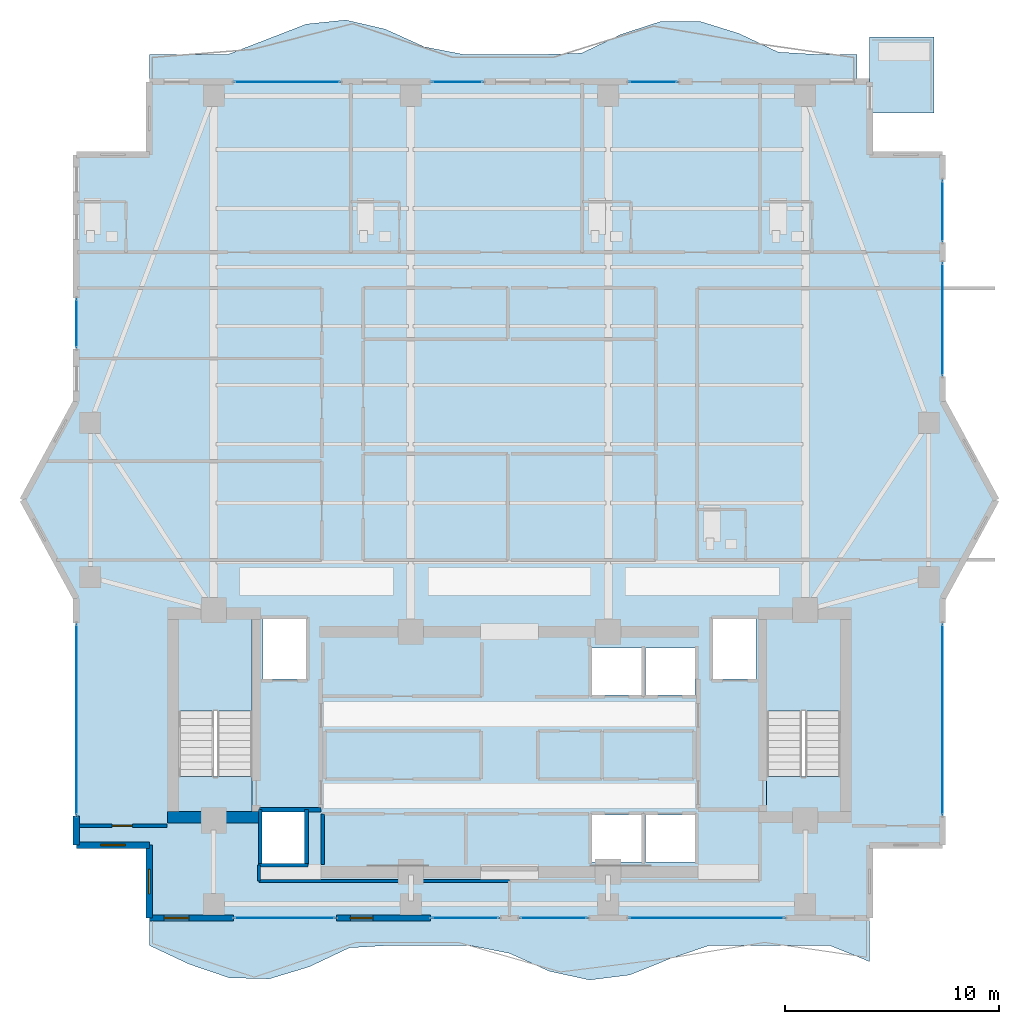
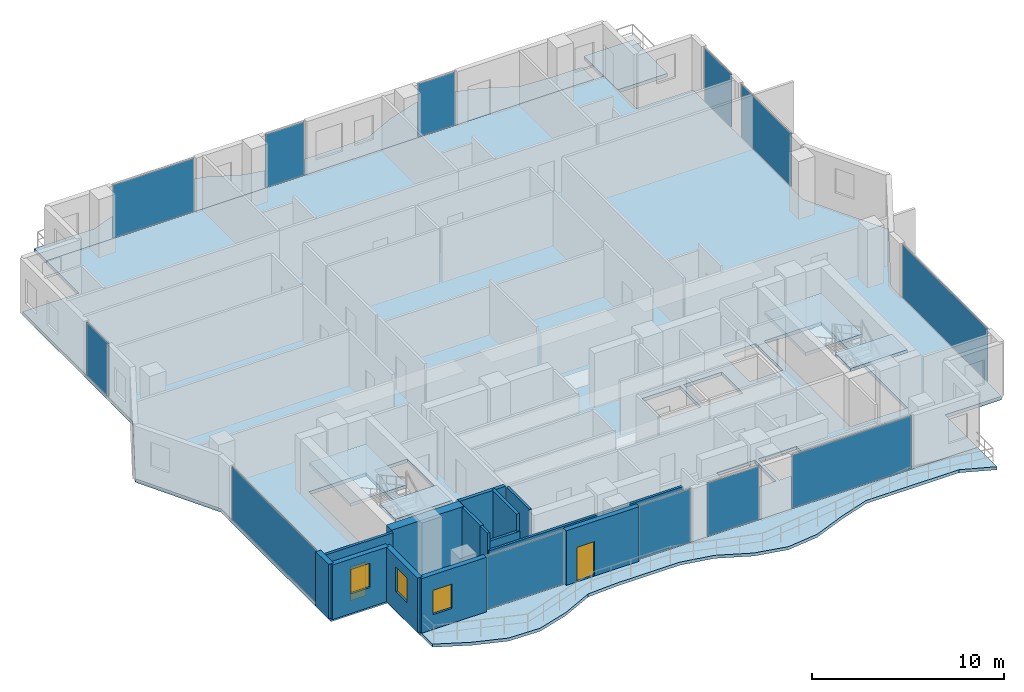
# One storey, part 16 of 23: 14 walls, 12 plates, 8 slabs, 3 windows, 2 doors, 5 openings, 14 elements without a shape of their own.
"""IFC4 building model written with IfcOpenShell, lengths in metres."""

from ifc_helpers import new_model, si_unit, direction, frame, frame_2d, origin, origin_2d, place, context, subcontext, project, spatial, polyline, rectangle, outline, extrude, material, layer, layer_set, type_object, element, fill, aggregate, save


model = new_model("IFC4")

# Units and contexts
model_context = context("Model", 3, precision=1e-05, world=origin(), true_north=direction((0.0, 1.0)))
body_context = subcontext(model_context, "Body", "Model", "MODEL_VIEW")
ifc_project = project(units=[si_unit("LENGTHUNIT", "METRE"), si_unit("AREAUNIT", "SQUARE_METRE"), si_unit("VOLUMEUNIT", "CUBIC_METRE"), si_unit("PLANEANGLEUNIT", "RADIAN"), si_unit("MASSUNIT", "GRAM", prefix="KILO")], contexts=[model_context])

# Site, building, storey
site_placement = place(None, origin())
site = spatial("IfcSite", under=ifc_project, at=site_placement, CompositionType="ELEMENT")
building_placement = place(site_placement, origin())
building = spatial("IfcBuilding", under=site, at=building_placement, Name="Zuhayl Quay Hotel", CompositionType="ELEMENT")
storey_placement = place(building_placement, frame((0.0, 0.0, 261.85009765625)))
storey = spatial("IfcBuildingStorey", under=building, at=storey_placement, Name="L66", CompositionType="ELEMENT", Elevation=261.85009765625)

# Curtain wall, plate
ifc_material_1 = material(Name="Anodised Aluminium 6063-T6", Category="aluminium")
ifc_layer_1 = layer(ifc_material_1, 0.169921875, Name="Anodised Aluminium 6063-T6", Category="aluminium")
ifc_layer_set_1 = layer_set([ifc_layer_1], Name="Anodised Aluminium 6063-T6")
curtain_wall_type = type_object("IfcCurtainWallType", Name="CW_SYS_Z4", PredefinedType="USERDEFINED", material=ifc_layer_set_1)
curtain_wall_1_placement = place(storey_placement, origin())
curtain_wall_1 = element("IfcCurtainWall", 1, at=curtain_wall_1_placement, inside=storey, type_object=curtain_wall_type, Name="L66 Curtain Wall ENV_L66_E02_CW1", ObjectType="UNITISED CURTAIN WALL", PredefinedType="USERDEFINED")
ifc_material_2 = material(Name="Dark Ceramic-Fritted Solar Glass", Category="glass")
ifc_layer_2 = layer(ifc_material_2, 0.035888671875, Name="Dark Ceramic-Fritted Solar Glass", Category="glass")
ifc_layer_set_2 = layer_set([ifc_layer_2], Name="Dark Ceramic-Fritted Solar Glass")
plate_type = type_object("IfcPlateType", Name="PN_DARK_FRIT_Z1", PredefinedType="CURTAIN_PANEL", material=ifc_layer_set_2)
plate_1_placement = place(storey_placement, frame((-20.199951171875, 9.25, 0.054931640625), z_axis=(0.0, 0.0, 1.0), x_axis=(0.0, 1.0, 0.0)))
plate_1 = element("IfcPlate", 2, at=plate_1_placement, type_object=plate_type, Name="CW-Z4 panel 1.1", PredefinedType="CURTAIN_PANEL", context=body_context, shape_type="SweptSolid", body=[
    extrude(rectangle(XDim=8.8701171875, YDim=0.035888671875, at=origin_2d()), origin(), (0.0, 0.0, 1.0), 3.3701171875),
])
aggregate(curtain_wall_1, [plate_1])

curtain_wall_2_placement = place(storey_placement, origin())
curtain_wall_2 = element("IfcCurtainWall", 3, at=curtain_wall_2_placement, inside=storey, type_object=curtain_wall_type, Name="L66 Curtain Wall ENV_L66_E05_CW1", ObjectType="UNITISED CURTAIN WALL", PredefinedType="USERDEFINED")
plate_2_placement = place(storey_placement, frame((-20.199951171875, 27.739990234375, 0.054931640625), z_axis=(0.0, 0.0, 1.0), x_axis=(0.0, 1.0, 0.0)))
plate_2 = element("IfcPlate", 4, at=plate_2_placement, type_object=plate_type, Name="CW-Z4 panel 1.1", PredefinedType="CURTAIN_PANEL", context=body_context, shape_type="SweptSolid", body=[
    extrude(rectangle(XDim=2.25, YDim=0.035888671875, at=origin_2d()), origin(), (0.0, 0.0, 1.0), 3.3701171875),
])
aggregate(curtain_wall_2, [plate_2])

curtain_wall_3_placement = place(storey_placement, origin())
curtain_wall_3 = element("IfcCurtainWall", 5, at=curtain_wall_3_placement, inside=storey, type_object=curtain_wall_type, Name="L66 Curtain Wall ENV_L66_N_CW1", ObjectType="UNITISED CURTAIN WALL", PredefinedType="USERDEFINED")
plate_3_placement = place(storey_placement, frame((-10.364990234375, 39.0, 0.054931640625), z_axis=(0.0, 0.0, 1.0), x_axis=(1.0, 0.0, 0.0)))
plate_3 = element("IfcPlate", 6, at=plate_3_placement, type_object=plate_type, Name="CW-Z4 panel 1.1", PredefinedType="CURTAIN_PANEL", context=body_context, shape_type="SweptSolid", body=[
    extrude(rectangle(XDim=4.89990234375, YDim=0.035888671875, at=origin_2d()), origin(), (0.0, 0.0, 1.0), 3.3701171875),
])
aggregate(curtain_wall_3, [plate_3])

curtain_wall_4_placement = place(storey_placement, origin())
curtain_wall_4 = element("IfcCurtainWall", 7, at=curtain_wall_4_placement, inside=storey, type_object=curtain_wall_type, Name="L66 Curtain Wall ENV_L66_N_CW2", ObjectType="UNITISED CURTAIN WALL", PredefinedType="USERDEFINED")
plate_4_placement = place(storey_placement, frame((-2.43505859375, 39.0, 0.054931640625), z_axis=(0.0, 0.0, 1.0), x_axis=(1.0, 0.0, 0.0)))
plate_4 = element("IfcPlate", 8, at=plate_4_placement, type_object=plate_type, Name="CW-Z4 panel 1.1", PredefinedType="CURTAIN_PANEL", context=body_context, shape_type="SweptSolid", body=[
    extrude(rectangle(XDim=2.360107421875, YDim=0.035888671875, at=origin_2d()), origin(), (0.0, 0.0, 1.0), 3.3701171875),
])
aggregate(curtain_wall_4, [plate_4])

curtain_wall_5_placement = place(storey_placement, origin())
curtain_wall_5 = element("IfcCurtainWall", 9, at=curtain_wall_5_placement, inside=storey, type_object=curtain_wall_type, Name="L66 Curtain Wall ENV_L66_N_CW3", ObjectType="UNITISED CURTAIN WALL", PredefinedType="USERDEFINED")
plate_5_placement = place(storey_placement, frame((6.698974609375, 39.0, 0.054931640625), z_axis=(0.0, 0.0, 1.0), x_axis=(1.0, 0.0, 0.0)))
plate_5 = element("IfcPlate", 10, at=plate_5_placement, type_object=plate_type, Name="CW-Z4 panel 1.1", PredefinedType="CURTAIN_PANEL", context=body_context, shape_type="SweptSolid", body=[
    extrude(rectangle(XDim=2.22802734375, YDim=0.035888671875, at=origin_2d()), origin(), (0.0, 0.0, 1.0), 3.3701171875),
])
aggregate(curtain_wall_5, [plate_5])

curtain_wall_6_placement = place(storey_placement, origin())
curtain_wall_6 = element("IfcCurtainWall", 11, at=curtain_wall_6_placement, inside=storey, type_object=curtain_wall_type, Name="L66 Curtain Wall ENV_L66_E11_CW1", ObjectType="UNITISED CURTAIN WALL", PredefinedType="USERDEFINED")
plate_6_placement = place(storey_placement, frame((20.199951171875, 32.97509765625, 0.054931640625), z_axis=(0.0, 0.0, 1.0), x_axis=(0.0, -1.0, 0.0)))
plate_6 = element("IfcPlate", 12, at=plate_6_placement, type_object=plate_type, Name="CW-Z4 panel 1.1", PredefinedType="CURTAIN_PANEL", context=body_context, shape_type="SweptSolid", body=[
    extrude(rectangle(XDim=2.820068359375, YDim=0.035888671875, at=origin_2d()), origin(), (0.0, 0.0, 1.0), 3.3701171875),
])
aggregate(curtain_wall_6, [plate_6])

curtain_wall_7_placement = place(storey_placement, origin())
curtain_wall_7 = element("IfcCurtainWall", 13, at=curtain_wall_7_placement, inside=storey, type_object=curtain_wall_type, Name="L66 Curtain Wall ENV_L66_E11_CW2", ObjectType="UNITISED CURTAIN WALL", PredefinedType="USERDEFINED")
plate_7_placement = place(storey_placement, frame((20.199951171875, 27.925048828125, 0.054931640625), z_axis=(0.0, 0.0, 1.0), x_axis=(0.0, -1.0, 0.0)))
plate_7 = element("IfcPlate", 14, at=plate_7_placement, type_object=plate_type, Name="CW-Z4 panel 1.1", PredefinedType="CURTAIN_PANEL", context=body_context, shape_type="SweptSolid", body=[
    extrude(rectangle(XDim=5.219970703125, YDim=0.035888671875, at=origin_2d()), origin(), (0.0, 0.0, 1.0), 3.3701171875),
])
aggregate(curtain_wall_7, [plate_7])

curtain_wall_8_placement = place(storey_placement, origin())
curtain_wall_8 = element("IfcCurtainWall", 15, at=curtain_wall_8_placement, inside=storey, type_object=curtain_wall_type, Name="L66 Curtain Wall ENV_L66_E14_CW1", ObjectType="UNITISED CURTAIN WALL", PredefinedType="USERDEFINED")
plate_8_placement = place(storey_placement, frame((20.199951171875, 9.25, 0.054931640625), z_axis=(0.0, 0.0, 1.0), x_axis=(0.0, -1.0, 0.0)))
plate_8 = element("IfcPlate", 16, at=plate_8_placement, type_object=plate_type, Name="CW-Z4 panel 1.1", PredefinedType="CURTAIN_PANEL", context=body_context, shape_type="SweptSolid", body=[
    extrude(rectangle(XDim=8.8701171875, YDim=0.035888671875, at=origin_2d()), origin(), (0.0, 0.0, 1.0), 3.3701171875),
])
aggregate(curtain_wall_8, [plate_8])

curtain_wall_9_placement = place(storey_placement, origin())
curtain_wall_9 = element("IfcCurtainWall", 17, at=curtain_wall_9_placement, inside=storey, type_object=curtain_wall_type, Name="L66 Curtain Wall ENV_L66_S_CW1", ObjectType="UNITISED CURTAIN WALL", PredefinedType="USERDEFINED")
plate_9_placement = place(storey_placement, frame((9.199951171875, 0.0, 0.054931640625), z_axis=(0.0, 0.0, 1.0), x_axis=(-1.0, 0.0, 0.0)))
plate_9 = element("IfcPlate", 18, at=plate_9_placement, type_object=plate_type, Name="CW-Z4 panel 1.1", PredefinedType="CURTAIN_PANEL", context=body_context, shape_type="SweptSolid", body=[
    extrude(rectangle(XDim=7.22998046875, YDim=0.035888671875, at=origin_2d()), origin(), (0.0, 0.0, 1.0), 3.3701171875),
])
aggregate(curtain_wall_9, [plate_9])

curtain_wall_10_placement = place(storey_placement, origin())
curtain_wall_10 = element("IfcCurtainWall", 19, at=curtain_wall_10_placement, inside=storey, type_object=curtain_wall_type, Name="L66 Curtain Wall ENV_L66_S_CW2", ObjectType="UNITISED CURTAIN WALL", PredefinedType="USERDEFINED")
plate_10_placement = place(storey_placement, frame((2.06494140625, 0.0, 0.054931640625), z_axis=(0.0, 0.0, 1.0), x_axis=(-1.0, 0.0, 0.0)))
plate_10 = element("IfcPlate", 20, at=plate_10_placement, type_object=plate_type, Name="CW-Z4 panel 1.1", PredefinedType="CURTAIN_PANEL", context=body_context, shape_type="SweptSolid", body=[
    extrude(rectangle(XDim=3.10009765625, YDim=0.035888671875, at=origin_2d()), origin(), (0.0, 0.0, 1.0), 3.3701171875),
])
aggregate(curtain_wall_10, [plate_10])

curtain_wall_11_placement = place(storey_placement, origin())
curtain_wall_11 = element("IfcCurtainWall", 21, at=curtain_wall_11_placement, inside=storey, type_object=curtain_wall_type, Name="L66 Curtain Wall ENV_L66_S_CW3", ObjectType="UNITISED CURTAIN WALL", PredefinedType="USERDEFINED")
plate_11_placement = place(storey_placement, frame((-2.06494140625, 0.0, 0.054931640625), z_axis=(0.0, 0.0, 1.0), x_axis=(-1.0, 0.0, 0.0)))
plate_11 = element("IfcPlate", 22, at=plate_11_placement, type_object=plate_type, Name="CW-Z4 panel 1.1", PredefinedType="CURTAIN_PANEL", context=body_context, shape_type="SweptSolid", body=[
    extrude(rectangle(XDim=3.10009765625, YDim=0.035888671875, at=origin_2d()), origin(), (0.0, 0.0, 1.0), 3.3701171875),
])
aggregate(curtain_wall_11, [plate_11])

curtain_wall_12_placement = place(storey_placement, origin())
curtain_wall_12 = element("IfcCurtainWall", 23, at=curtain_wall_12_placement, inside=storey, type_object=curtain_wall_type, Name="L66 Curtain Wall ENV_L66_S_CW4", ObjectType="UNITISED CURTAIN WALL", PredefinedType="USERDEFINED")
plate_12_placement = place(storey_placement, frame((-10.4775390625, 0.0, 0.054931640625), z_axis=(0.0, 0.0, 1.0), x_axis=(-1.0, 0.0, 0.0)))
plate_12 = element("IfcPlate", 24, at=plate_12_placement, type_object=plate_type, Name="CW-Z4 panel 1.1", PredefinedType="CURTAIN_PANEL", context=body_context, shape_type="SweptSolid", body=[
    extrude(rectangle(XDim=4.675048828125, YDim=0.035888671875, at=origin_2d()), origin(), (0.0, 0.0, 1.0), 3.3701171875),
])
aggregate(curtain_wall_12, [plate_12])

# Slabs
ifc_material_3 = material(Name="Concrete C45/55", Category="concrete")
ifc_layer_3 = layer(ifc_material_3, 0.195068359375, Name="Concrete C45/55", Category="concrete")
ifc_layer_set_3 = layer_set([ifc_layer_3], Name="Concrete C45/55")
slab_type_1 = type_object("IfcSlabType", Name="SL_BALCONY_195", PredefinedType="FLOOR", material=ifc_layer_set_3)
slab_1_placement = place(storey_placement, frame((0.0, 0.0, -0.195068359375)))
element("IfcSlab", 25, at=slab_1_placement, inside=storey, type_object=slab_type_1, Name="L66 Exterior Rippling Balcony Slab North", PredefinedType="FLOOR", context=body_context, shape_type="SweptSolid", body=[
    extrude(outline(polyline([(-16.800048828125, 39.0), (16.199951171875, 39.0), (16.199951171875, 40.280029296875), (14.36669921875, 40.280029296875), (12.533203125, 40.39013671875), (10.699951171875, 41.2607421875), (8.86669921875, 41.828369140625), (7.033203125, 41.81103515625), (5.199951171875, 41.217529296875), (3.36669921875, 40.34228515625), (1.533203125, 40.280029296875), (-0.300048828125, 40.280029296875), (-2.13330078125, 40.280029296875), (-3.966796875, 40.633544921875), (-5.800048828125, 41.4619140625), (-7.63330078125, 41.88720703125), (-9.466796875, 41.6982421875), (-11.300048828125, 40.9892578125), (-13.13330078125, 40.280029296875), (-14.966796875, 40.280029296875), (-16.800048828125, 40.280029296875), (-16.800048828125, 39.0)])), origin(), (0.0, 0.0, 1.0), 0.195068359375),
])
slab_2_placement = place(storey_placement, frame((0.0, 0.0, -0.195068359375)))
element("IfcSlab", 26, at=slab_2_placement, inside=storey, type_object=slab_type_1, Name="L66 Exterior Rippling Balcony Slab South", PredefinedType="FLOOR", context=body_context, shape_type="SweptSolid", body=[
    extrude(outline(polyline([(-16.800048828125, -1.280029296875), (-14.933349609375, -2.158447265625), (-13.066650390625, -2.7919921875), (-11.199951171875, -2.8388671875), (-9.333251953125, -2.27490234375), (-7.466796875, -1.39013671875), (-5.60009765625, -1.280029296875), (-3.7333984375, -1.280029296875), (-1.86669921875, -1.280029296875), (0.0, -1.64990234375), (1.86669921875, -2.486328125), (3.7333984375, -2.893310546875), (5.60009765625, -2.661376953125), (7.466796875, -1.909912109375), (9.333251953125, -1.280029296875), (11.199951171875, -1.280029296875), (13.066650390625, -1.280029296875), (14.933349609375, -1.280029296875), (16.800048828125, -2.036376953125), (16.800048828125, 0.0), (-16.800048828125, 0.0), (-16.800048828125, -1.280029296875)])), origin(), (0.0, 0.0, 1.0), 0.195068359375),
])
ifc_layer_4 = layer(ifc_material_3, 0.219970703125, Name="Concrete C45/55", Category="concrete")
ifc_layer_set_4 = layer_set([ifc_layer_4], Name="Concrete C45/55")
slab_type_2 = type_object("IfcSlabType", Name="SL_FLOOR_220", PredefinedType="FLOOR", material=ifc_layer_set_4)
slab_3_placement = place(storey_placement, frame((0.0, 0.0, -0.22021484375)))
element("IfcSlab", 27, at=slab_3_placement, inside=storey, type_object=slab_type_2, Name="L66 Structural Floor Slab", PredefinedType="FLOOR", context=body_context, shape_type="SweptSolid", body=[
    extrude(outline(polyline([(-16.800048828125, 0.0), (16.800048828125, 0.0), (16.800048828125, 3.39990234375), (20.199951171875, 3.39990234375), (20.199951171875, 14.89990234375), (22.699951171875, 19.5), (20.199951171875, 24.10009765625), (20.199951171875, 35.60009765625), (16.800048828125, 35.60009765625), (16.800048828125, 39.0), (-16.800048828125, 39.0), (-16.800048828125, 35.60009765625), (-20.199951171875, 35.60009765625), (-20.199951171875, 24.10009765625), (-22.699951171875, 19.5), (-20.199951171875, 14.89990234375), (-20.199951171875, 3.39990234375), (-16.800048828125, 3.39990234375), (-16.800048828125, 0.0)]), holes=[polyline([(-12.0, 4.949951171875), (-12.0, 13.949951171875), (-15.429931640625, 13.949951171875), (-15.429931640625, 4.949951171875), (-12.0, 4.949951171875)]), polyline([(15.429931640625, 4.949951171875), (15.429931640625, 13.949951171875), (12.0, 13.949951171875), (12.0, 4.949951171875), (15.429931640625, 4.949951171875)]), polyline([(-11.5, 11.14990234375), (-9.5, 11.14990234375), (-9.5, 13.949951171875), (-11.5, 13.949951171875), (-11.5, 11.14990234375)]), polyline([(9.5, 11.14990234375), (11.5, 11.14990234375), (11.5, 13.949951171875), (9.5, 13.949951171875), (9.5, 11.14990234375)]), polyline([(3.85009765625, 2.60009765625), (6.14990234375, 2.60009765625), (6.14990234375, 4.800048828125), (3.85009765625, 4.800048828125), (3.85009765625, 2.60009765625)]), polyline([(6.35009765625, 2.60009765625), (8.64990234375, 2.60009765625), (8.64990234375, 4.800048828125), (6.35009765625, 4.800048828125), (6.35009765625, 2.60009765625)]), polyline([(3.85009765625, 10.39990234375), (6.14990234375, 10.39990234375), (6.14990234375, 12.60009765625), (3.85009765625, 12.60009765625), (3.85009765625, 10.39990234375)]), polyline([(6.35009765625, 10.39990234375), (8.64990234375, 10.39990234375), (8.64990234375, 12.60009765625), (6.35009765625, 12.60009765625), (6.35009765625, 10.39990234375)]), polyline([(-11.550048828125, 2.550048828125), (-9.550048828125, 2.550048828125), (-9.550048828125, 4.949951171875), (-11.550048828125, 4.949951171875), (-11.550048828125, 2.550048828125)])]), origin(), (0.0, 0.0, 1.0), 0.22021484375),
])

# Stair, slabs
stair_type = type_object("IfcStairType", Name="ST_DOGLEG_TOWER", PredefinedType="HALF_TURN_STAIR", material=ifc_material_3)
stair_1_placement = place(storey_placement, origin())
stair_1 = element("IfcStair", 28, at=stair_1_placement, inside=storey, type_object=stair_type, Name="L66 Smokeproof Exit Stair ST1", PredefinedType="HALF_TURN_STAIR")
ifc_layer_5 = layer(ifc_material_3, 0.199951171875, Name="Concrete C45/55", Category="concrete")
ifc_layer_set_5 = layer_set([ifc_layer_5], Name="Concrete C45/55")
slab_type_3 = type_object("IfcSlabType", Name="SL_STAIR_LANDING_200", PredefinedType="LANDING", material=ifc_layer_set_5)
slab_4_placement = place(storey_placement, frame((0.0, 0.0, 1.64990234375)))
slab_4 = element("IfcSlab", 29, at=slab_4_placement, type_object=slab_type_3, Name="ST1 landing 1", PredefinedType="LANDING", context=body_context, shape_type="SweptSolid", body=[
    extrude(outline(polyline([(-12.0, 9.64990234375), (-12.0, 13.949951171875), (-15.429931640625, 13.949951171875), (-15.429931640625, 9.64990234375), (-12.0, 9.64990234375)])), origin(), (0.0, 0.0, 1.0), 0.199951171875),
])
slab_5_placement = place(storey_placement, frame((0.0, 0.0, 3.5)))
slab_5 = element("IfcSlab", 30, at=slab_5_placement, type_object=slab_type_3, Name="ST1 landing 2", PredefinedType="LANDING", context=body_context, shape_type="SweptSolid", body=[
    extrude(outline(polyline([(-12.0, 4.949951171875), (-12.0, 6.590087890625), (-15.429931640625, 6.590087890625), (-15.429931640625, 4.949951171875), (-12.0, 4.949951171875)])), origin(), (0.0, 0.0, 1.0), 0.199951171875),
])
aggregate(stair_1, [slab_4, slab_5])

stair_2_placement = place(storey_placement, origin())
stair_2 = element("IfcStair", 31, at=stair_2_placement, inside=storey, type_object=stair_type, Name="L66 Smokeproof Exit Stair ST2", PredefinedType="HALF_TURN_STAIR")
slab_6_placement = place(storey_placement, frame((0.0, 0.0, 1.64990234375)))
slab_6 = element("IfcSlab", 32, at=slab_6_placement, type_object=slab_type_3, Name="ST2 landing 1", PredefinedType="LANDING", context=body_context, shape_type="SweptSolid", body=[
    extrude(outline(polyline([(15.429931640625, 9.64990234375), (15.429931640625, 13.949951171875), (12.0, 13.949951171875), (12.0, 9.64990234375), (15.429931640625, 9.64990234375)])), origin(), (0.0, 0.0, 1.0), 0.199951171875),
])
slab_7_placement = place(storey_placement, frame((0.0, 0.0, 3.5)))
slab_7 = element("IfcSlab", 33, at=slab_7_placement, type_object=slab_type_3, Name="ST2 landing 2", PredefinedType="LANDING", context=body_context, shape_type="SweptSolid", body=[
    extrude(outline(polyline([(15.429931640625, 4.949951171875), (15.429931640625, 6.590087890625), (12.0, 6.590087890625), (12.0, 4.949951171875), (15.429931640625, 4.949951171875)])), origin(), (0.0, 0.0, 1.0), 0.199951171875),
])
aggregate(stair_2, [slab_6, slab_7])

# Slab
ifc_layer_6 = layer(ifc_material_3, 0.219970703125, Name="Concrete C45/55", Category="concrete")
ifc_layer_set_6 = layer_set([ifc_layer_6], Name="Concrete C45/55")
slab_type_4 = type_object("IfcSlabType", Name="SL_TERRACE_235", PredefinedType="FLOOR", material=ifc_layer_set_6)
slab_8_placement = place(storey_placement, frame((0.0, 0.0, -0.22021484375)))
element("IfcSlab", 34, at=slab_8_placement, inside=storey, type_object=slab_type_4, Name="L66 Exterior Sky-Terrace Slab L66_SPIRAL_NE", PredefinedType="FLOOR", context=body_context, shape_type="SweptSolid", body=[
    extrude(outline(polyline([(16.800048828125, 37.550048828125), (19.800048828125, 37.550048828125), (19.800048828125, 41.10009765625), (16.800048828125, 41.10009765625), (16.800048828125, 37.550048828125)])), origin(), (0.0, 0.0, 1.0), 0.22021484375),
])

# Wall
ifc_material_4 = material(Name="Concrete C50/60", Category="concrete")
ifc_layer_7 = layer(ifc_material_4, 0.550048828125, Name="Concrete C50/60", Category="concrete")
ifc_layer_set_7 = layer_set([ifc_layer_7], Name="Concrete C50/60")
wall_type_1 = type_object("IfcWallType", Name="WL_CORE_550", PredefinedType="SHEAR", material=ifc_layer_set_7)
wall_1_placement = place(storey_placement, frame((-15.9599609375, 4.695068359375, 0.0), z_axis=(0.0, 0.0, 1.0), x_axis=(1.0, 0.0, 0.0)))
element("IfcWall", 35, at=wall_1_placement, inside=storey, type_object=wall_type_1, Name="L66 Core Shear Wall CW_SW", PredefinedType="SHEAR", context=body_context, shape_type="SweptSolid", body=[
    extrude(rectangle(XDim=4.35986328125, YDim=0.550048828125, at=frame_2d((2.179931640625, 0.0))), origin(), (0.0, 0.0, 1.0), 3.510009765625),
])

# Wall, opening, window
ifc_material_5 = material(Name="Precast concrete C45/55", Category="concrete")
ifc_layer_8 = layer(ifc_material_5, 0.300048828125, Name="Precast concrete C45/55", Category="concrete")
ifc_layer_set_8 = layer_set([ifc_layer_8], Name="Precast concrete C45/55")
wall_type_2 = type_object("IfcWallType", Name="WL_EXT_300", PredefinedType="STANDARD", material=ifc_layer_set_8)
wall_2_placement = place(storey_placement, frame((-16.800048828125, 3.39990234375, 0.0), z_axis=(0.0, 0.0, 1.0), x_axis=(-1.0, 0.0, 0.0)))
wall_2 = element("IfcWall", 36, at=wall_2_placement, inside=storey, type_object=wall_type_2, Name="L66 Exterior Precast Wall ENV_L66_EW01", PredefinedType="STANDARD", context=body_context, shape_type="SweptSolid", body=[
    extrude(rectangle(XDim=3.39990234375, YDim=0.300048828125, at=frame_2d((1.699951171875, 0.0))), origin(), (0.0, 0.0, 1.0), 3.47998046875),
])
opening_1_placement = place(wall_2_placement, frame((1.125, 0.0, 1.25)))
opening_1 = element("IfcOpeningElement", 37, at=opening_1_placement, cuts=wall_2, Name="Opening W01N", PredefinedType="OPENING", context=body_context, shape_type="SweptSolid", body=[
    extrude(rectangle(XDim=1.14990234375, YDim=1.550048828125, at=frame_2d((0.574951171875, 0.77490234375))), frame((0.0, 0.159912109375, 0.0), z_axis=(0.0, -1.0, 0.0), x_axis=(1.0, 0.0, 0.0)), (0.0, 0.0, 1.0), 0.320068359375),
])
window_type = type_object("IfcWindowType", Name="WN_NOTCH_1350", PartitioningType="SINGLE_PANEL", PredefinedType="WINDOW", material=ifc_material_2)
window_1_placement = place(opening_1_placement, origin())
window_1 = element("IfcWindow", 38, at=window_1_placement, inside=storey, type_object=window_type, Name="L66 Corner Notch Window 1", OverallHeight=1.550048828125, OverallWidth=1.14990234375, PartitioningType="SINGLE_PANEL", PredefinedType="WINDOW", context=body_context, shape_type="SweptSolid", body=[
    extrude(rectangle(XDim=1.14990234375, YDim=1.550048828125, at=frame_2d((0.574951171875, 0.77490234375))), frame((0.0, 0.030029296875, 0.0), z_axis=(0.0, -1.0, 0.0), x_axis=(1.0, 0.0, 0.0)), (0.0, 0.0, 1.0), 0.06005859375),
])
fill(opening_1, window_1)

# Wall
wall_3_placement = place(storey_placement, frame((-20.199951171875, 3.39990234375, 0.0), z_axis=(0.0, 0.0, 1.0), x_axis=(0.0, 1.0, 0.0)))
element("IfcWall", 39, at=wall_3_placement, inside=storey, type_object=wall_type_2, Name="L66 Exterior Precast Wall ENV_L66_E02_EW1", PredefinedType="STANDARD", context=body_context, shape_type="SweptSolid", body=[
    extrude(rectangle(XDim=1.35009765625, YDim=0.300048828125, at=frame_2d((0.675048828125, 0.0))), origin(), (0.0, 0.0, 1.0), 3.47998046875),
])

# Wall, opening, door
wall_4_placement = place(storey_placement, frame((-3.679931640625, 0.0, 0.0), z_axis=(0.0, 0.0, 1.0), x_axis=(-1.0, 0.0, 0.0)))
wall_4 = element("IfcWall", 40, at=wall_4_placement, inside=storey, type_object=wall_type_2, Name="L66 Exterior Precast Wall ENV_L66_S_EW4", PredefinedType="STANDARD", context=body_context, shape_type="SweptSolid", body=[
    extrude(rectangle(XDim=4.39501953125, YDim=0.300048828125, at=frame_2d((2.197509765625, 0.0))), origin(), (0.0, 0.0, 1.0), 3.47998046875),
])
opening_2_placement = place(wall_4_placement, frame((2.695068359375, 0.0, 0.0)))
opening_2 = element("IfcOpeningElement", 41, at=opening_2_placement, cuts=wall_4, Name="Opening DG1", PredefinedType="OPENING", context=body_context, shape_type="SweptSolid", body=[
    extrude(rectangle(XDim=1.050048828125, YDim=2.199951171875, at=frame_2d((0.52490234375, 1.10009765625))), frame((0.0, 0.159912109375, 0.0), z_axis=(0.0, -1.0, 0.0), x_axis=(1.0, 0.0, 0.0)), (0.0, 0.0, 1.0), 0.320068359375),
])
ifc_material_6 = material(Name="Anodised Aluminium and Dark Solar Glass", Category="aluminium")
door_type_1 = type_object("IfcDoorType", Name="DR_EXT_TERR_1050", OperationType="NOTDEFINED", PredefinedType="DOOR", material=ifc_material_6)
door_1_placement = place(opening_2_placement, origin())
door_1 = element("IfcDoor", 42, at=door_1_placement, inside=storey, type_object=door_type_1, Name="L66 South Rippling Balcony Door", OperationType="SINGLE_SWING_RIGHT", OverallHeight=2.199951171875, OverallWidth=1.050048828125, PredefinedType="DOOR", context=body_context, shape_type="SweptSolid", body=[
    extrude(rectangle(XDim=1.050048828125, YDim=2.199951171875, at=frame_2d((0.52490234375, 1.10009765625))), frame((0.0, 0.02490234375, 0.0), z_axis=(0.0, -1.0, 0.0), x_axis=(1.0, 0.0, 0.0)), (0.0, 0.0, 1.0), 0.050048828125),
])
fill(opening_2, door_1)

# Wall, opening, window
wall_5_placement = place(storey_placement, frame((-12.8798828125, 0.0, 0.0), z_axis=(0.0, 0.0, 1.0), x_axis=(-1.0, 0.0, 0.0)))
wall_5 = element("IfcWall", 43, at=wall_5_placement, inside=storey, type_object=wall_type_2, Name="L66 Exterior Precast Wall ENV_L66_S_EW5", PredefinedType="STANDARD", context=body_context, shape_type="SweptSolid", body=[
    extrude(rectangle(XDim=3.920166015625, YDim=0.300048828125, at=frame_2d((1.9599609375, 0.0))), origin(), (0.0, 0.0, 1.0), 3.47998046875),
])
opening_3_placement = place(wall_5_placement, frame((2.074951171875, 0.0, 0.949951171875)))
opening_3 = element("IfcOpeningElement", 44, at=opening_3_placement, cuts=wall_5, Name="Opening W01N", PredefinedType="OPENING", context=body_context, shape_type="SweptSolid", body=[
    extrude(rectangle(XDim=1.14990234375, YDim=1.550048828125, at=frame_2d((0.574951171875, 0.77490234375))), frame((0.0, 0.159912109375, 0.0), z_axis=(0.0, -1.0, 0.0), x_axis=(1.0, 0.0, 0.0)), (0.0, 0.0, 1.0), 0.320068359375),
])
window_2_placement = place(opening_3_placement, origin())
window_2 = element("IfcWindow", 45, at=window_2_placement, inside=storey, type_object=window_type, Name="L66 Operable Facade Window 5-1", OverallHeight=1.550048828125, OverallWidth=1.14990234375, PartitioningType="SINGLE_PANEL", PredefinedType="WINDOW", context=body_context, shape_type="SweptSolid", body=[
    extrude(rectangle(XDim=1.14990234375, YDim=1.550048828125, at=frame_2d((0.574951171875, 0.77490234375))), frame((0.0, 0.030029296875, 0.0), z_axis=(0.0, -1.0, 0.0), x_axis=(1.0, 0.0, 0.0)), (0.0, 0.0, 1.0), 0.06005859375),
])
fill(opening_3, window_2)

wall_6_placement = place(storey_placement, frame((-16.800048828125, 0.0, 0.0), z_axis=(0.0, 0.0, 1.0), x_axis=(0.0, 1.0, 0.0)))
wall_6 = element("IfcWall", 46, at=wall_6_placement, inside=storey, type_object=wall_type_2, Name="L66 Exterior Precast Wall ENV_L66_EW18", PredefinedType="STANDARD", context=body_context, shape_type="SweptSolid", body=[
    extrude(rectangle(XDim=3.39990234375, YDim=0.300048828125, at=frame_2d((1.699951171875, 0.0))), origin(), (0.0, 0.0, 1.0), 3.47998046875),
])
opening_4_placement = place(wall_6_placement, frame((1.125, 0.0, 1.25)))
opening_4 = element("IfcOpeningElement", 47, at=opening_4_placement, cuts=wall_6, Name="Opening W01N", PredefinedType="OPENING", context=body_context, shape_type="SweptSolid", body=[
    extrude(rectangle(XDim=1.14990234375, YDim=1.550048828125, at=frame_2d((0.574951171875, 0.77490234375))), frame((0.0, 0.159912109375, 0.0), z_axis=(0.0, -1.0, 0.0), x_axis=(1.0, 0.0, 0.0)), (0.0, 0.0, 1.0), 0.320068359375),
])
window_3_placement = place(opening_4_placement, origin())
window_3 = element("IfcWindow", 48, at=window_3_placement, inside=storey, type_object=window_type, Name="L66 Corner Notch Window 18", OverallHeight=1.550048828125, OverallWidth=1.14990234375, PartitioningType="SINGLE_PANEL", PredefinedType="WINDOW", context=body_context, shape_type="SweptSolid", body=[
    extrude(rectangle(XDim=1.14990234375, YDim=1.550048828125, at=frame_2d((0.574951171875, 0.77490234375))), frame((0.0, 0.030029296875, 0.0), z_axis=(0.0, -1.0, 0.0), x_axis=(1.0, 0.0, 0.0)), (0.0, 0.0, 1.0), 0.06005859375),
])
fill(opening_4, window_3)

# Walls
ifc_material_7 = material(Name="Acoustic Gypsum Partition STC-58")
ifc_layer_9 = layer(ifc_material_7, 0.14990234375, Name="Acoustic Gypsum Partition STC-58")
ifc_layer_set_9 = layer_set([ifc_layer_9], Name="Acoustic Gypsum Partition STC-58")
wall_type_3 = type_object("IfcWallType", Name="WL_PART_150", PredefinedType="PARTITIONING", material=ifc_layer_set_9)
wall_7_placement = place(storey_placement, frame((-8.7099609375, 2.489990234375, 0.0), z_axis=(0.0, 0.0, 1.0), x_axis=(0.0, 1.0, 0.0)))
element("IfcWall", 49, at=wall_7_placement, inside=storey, type_object=wall_type_3, Name="L66 Partition IW_L66_FMP_SW_W", PredefinedType="PARTITIONING", context=body_context, shape_type="SweptSolid", body=[
    extrude(rectangle(XDim=2.3701171875, YDim=0.14990234375, at=frame_2d((1.18505859375, 0.0))), origin(), (0.0, 0.0, 1.0), 3.47998046875),
])
wall_8_placement = place(storey_placement, frame((-11.679931640625, 1.719970703125, 0.0), z_axis=(0.0, 0.0, 1.0), x_axis=(0.0, 1.0, 0.0)))
element("IfcWall", 50, at=wall_8_placement, inside=storey, type_object=wall_type_3, Name="L66 Partition IW_L66_Z4_SUN_SW_IN", PredefinedType="PARTITIONING", context=body_context, shape_type="SweptSolid", body=[
    extrude(rectangle(XDim=0.75, YDim=0.14990234375, at=frame_2d((0.375, 0.0))), origin(), (0.0, 0.0, 1.0), 3.47998046875),
])
wall_9_placement = place(storey_placement, frame((-11.679931640625, 1.719970703125, 0.0), z_axis=(0.0, 0.0, 1.0), x_axis=(1.0, 0.0, 0.0)))
element("IfcWall", 51, at=wall_9_placement, inside=storey, type_object=wall_type_3, Name="L66 Partition IW_L66_Z4_SUN_SW_SN", PredefinedType="PARTITIONING", context=body_context, shape_type="SweptSolid", body=[
    extrude(rectangle(XDim=11.679931640625, YDim=0.14990234375, at=frame_2d((5.83984375, 0.0))), origin(), (0.0, 0.0, 1.0), 2.3798828125),
])

# Wall, opening, door
ifc_layer_10 = layer(ifc_material_7, 0.159912109375, Name="Acoustic Gypsum Partition STC-58")
ifc_layer_set_10 = layer_set([ifc_layer_10], Name="Acoustic Gypsum Partition STC-58")
wall_type_4 = type_object("IfcWallType", Name="WL_PART_CORR_160", PredefinedType="PARTITIONING", material=ifc_layer_set_10)
wall_10_placement = place(storey_placement, frame((-20.139892578125, 4.300048828125, 0.0), z_axis=(0.0, 0.0, 1.0), x_axis=(1.0, 0.0, 0.0)))
wall_10 = element("IfcWall", 52, at=wall_10_placement, inside=storey, type_object=wall_type_4, Name="L66 Partition IW_L66_Z4_SUN_SW_N", PredefinedType="PARTITIONING", context=body_context, shape_type="SweptSolid", body=[
    extrude(rectangle(XDim=4.159912109375, YDim=0.159912109375, at=frame_2d((2.080078125, 0.0))), origin(), (0.0, 0.0, 1.0), 3.47998046875),
])
opening_5_placement = place(wall_10_placement, frame((1.60498046875, 0.0, 0.0)))
opening_5 = element("IfcOpeningElement", 53, at=opening_5_placement, cuts=wall_10, Name="Opening D03", PredefinedType="OPENING", context=body_context, shape_type="SweptSolid", body=[
    extrude(rectangle(XDim=0.949951171875, YDim=2.14990234375, at=frame_2d((0.47509765625, 1.074951171875))), frame((0.0, 0.08984375, 0.0), z_axis=(0.0, -1.0, 0.0), x_axis=(1.0, 0.0, 0.0)), (0.0, 0.0, 1.0), 0.179931640625),
])
ifc_material_8 = material(Name="Solid Walnut Acoustic Fire Door")
door_type_2 = type_object("IfcDoorType", Name="DR_SUITE_950", OperationType="NOTDEFINED", PredefinedType="DOOR", material=ifc_material_8)
door_2_placement = place(opening_5_placement, origin())
door_2 = element("IfcDoor", 54, at=door_2_placement, inside=storey, type_object=door_type_2, Name="L66 Sunset Salon SW Door", OperationType="SINGLE_SWING_RIGHT", OverallHeight=2.14990234375, OverallWidth=0.949951171875, PredefinedType="DOOR", context=body_context, shape_type="SweptSolid", body=[
    extrude(rectangle(XDim=0.949951171875, YDim=2.14990234375, at=frame_2d((0.47509765625, 1.074951171875))), frame((0.0, 0.02490234375, 0.0), z_axis=(0.0, -1.0, 0.0), x_axis=(1.0, 0.0, 0.0)), (0.0, 0.0, 1.0), 0.050048828125),
])
fill(opening_5, door_2)

# Walls
ifc_material_9 = material(Name="Gypsum Fireboard Assembly EI-90")
ifc_layer_11 = layer(ifc_material_9, 0.1650390625, Name="Gypsum Fireboard Assembly EI-90")
ifc_layer_set_11 = layer_set([ifc_layer_11], Name="Gypsum Fireboard Assembly EI-90")
wall_type_5 = type_object("IfcWallType", Name="WL_PART_SHAFT_160", PredefinedType="PARTITIONING", material=ifc_layer_set_11)
wall_11_placement = place(storey_placement, frame((-11.6298828125, 2.469970703125, 0.0), z_axis=(0.0, 0.0, 1.0), x_axis=(0.0, 1.0, 0.0)))
element("IfcWall", 55, at=wall_11_placement, inside=storey, type_object=wall_type_5, Name="L66 Partition IW_L66_RISER_W", PredefinedType="PARTITIONING", context=body_context, shape_type="SweptSolid", body=[
    extrude(rectangle(XDim=2.580078125, YDim=0.1650390625, at=frame_2d((1.2900390625, 0.0))), origin(), (0.0, 0.0, 1.0), 3.47998046875),
])
wall_12_placement = place(storey_placement, frame((-11.7099609375, 2.469970703125, 0.0), z_axis=(0.0, 0.0, 1.0), x_axis=(1.0, 0.0, 0.0)))
element("IfcWall", 56, at=wall_12_placement, inside=storey, type_object=wall_type_5, Name="L66 Partition IW_L66_RISER_S", PredefinedType="PARTITIONING", context=body_context, shape_type="SweptSolid", body=[
    extrude(rectangle(XDim=2.31005859375, YDim=0.1650390625, at=frame_2d((1.155029296875, 0.0))), origin(), (0.0, 0.0, 1.0), 2.3798828125),
])
ifc_layer_12 = layer(ifc_material_9, 0.179931640625, Name="Gypsum Fireboard Assembly EI-90")
ifc_layer_set_12 = layer_set([ifc_layer_12], Name="Gypsum Fireboard Assembly EI-90")
wall_type_6 = type_object("IfcWallType", Name="WL_PART_SHAFT_180", PredefinedType="PARTITIONING", material=ifc_layer_set_12)
wall_13_placement = place(storey_placement, frame((-9.469970703125, 2.449951171875, 0.0), z_axis=(0.0, 0.0, 1.0), x_axis=(0.0, 1.0, 0.0)))
element("IfcWall", 57, at=wall_13_placement, inside=storey, type_object=wall_type_6, Name="L66 Partition IW_L66_RISER_E", PredefinedType="PARTITIONING", context=body_context, shape_type="SweptSolid", body=[
    extrude(rectangle(XDim=2.60009765625, YDim=0.179931640625, at=frame_2d((1.300048828125, 0.0))), origin(), (0.0, 0.0, 1.0), 3.47998046875),
])
ifc_material_10 = material(Name="Gypsum Fireboard Assembly EI-120")
ifc_layer_13 = layer(ifc_material_10, 0.199951171875, Name="Gypsum Fireboard Assembly EI-120")
ifc_layer_set_13 = layer_set([ifc_layer_13], Name="Gypsum Fireboard Assembly EI-120")
wall_type_7 = type_object("IfcWallType", Name="WL_PART_SHAFT_200", PredefinedType="PARTITIONING", material=ifc_layer_set_13)
wall_14_placement = place(storey_placement, frame((-11.64990234375, 5.050048828125, 0.0), z_axis=(0.0, 0.0, 1.0), x_axis=(1.0, 0.0, 0.0)))
element("IfcWall", 58, at=wall_14_placement, inside=storey, type_object=wall_type_7, Name="L66 Partition IW_L66_FSAE_W_S", PredefinedType="PARTITIONING", context=body_context, shape_type="SweptSolid", body=[
    extrude(rectangle(XDim=2.849853515625, YDim=0.199951171875, at=frame_2d((1.4248046875, 0.0))), origin(), (0.0, 0.0, 1.0), 3.47998046875),
])

save(model, "model.ifc")
